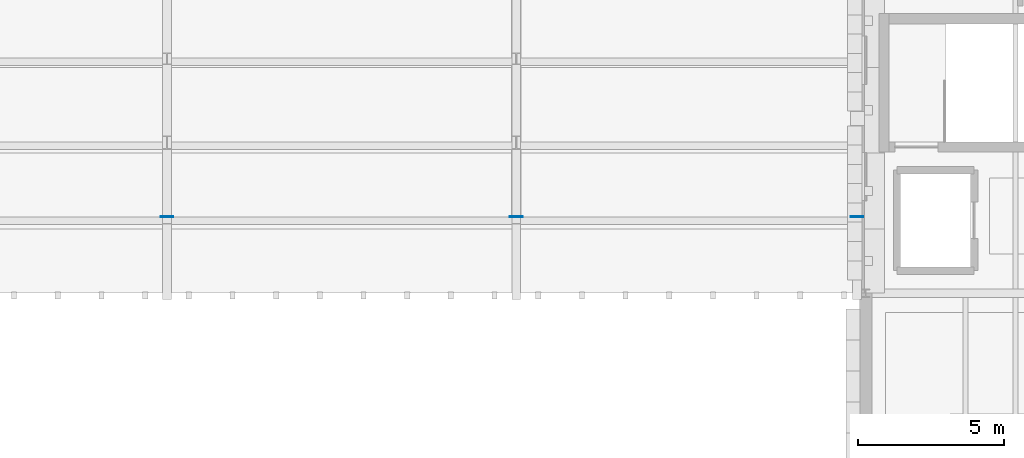
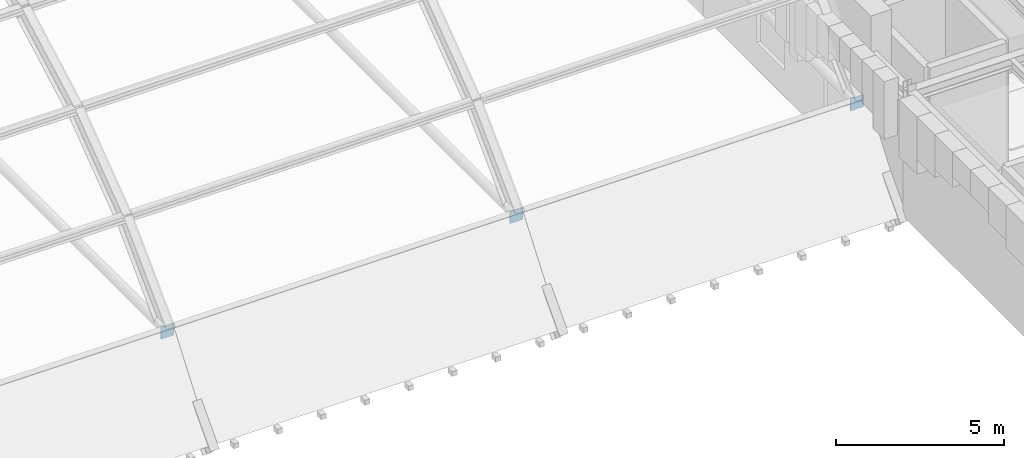
# One storey, part 12 of 35: 3 plates.
"""IFC4 building model written with IfcOpenShell, lengths in metres."""

import ifcopenshell
import ifcopenshell.guid

model = None  # the IFC model being written
_history = None  # IfcOwnerHistory: only IFC2X3 demands one
_inside = {}  # id of a spatial element -> (the spatial element, [elements in it])
_under = {}  # id of a project, library or spatial element -> (it, [spatial elements below it])
_declared = {}  # id of a project -> (the project, [libraries it declares])
_typed = {}  # id of a type object -> (the type object, [elements of that type])
_made_of = {}  # id of a material, layer set ... -> (it, [elements and type objects made of it])


def new_model(schema):
    """Start an empty IFC model of exactly this schema.

    Asked for "IFC4X3", IfcOpenShell would pick the latest addendum, in which some entities
    have other attributes; the version numbers below select the first issue.
    IFC2X3 requires an IfcOwnerHistory on every rooted entity: one is made here for all.
    """
    global model, _history
    if schema == "IFC4X3":
        model = ifcopenshell.file(schema_version=(4, 3, 0, 0))
    else:
        model = ifcopenshell.file(schema=schema)
    _inside.clear()
    _under.clear()
    _declared.clear()
    _typed.clear()
    _made_of.clear()
    _history = None
    if model.schema == "IFC2X3":
        org = make("IfcOrganization", Name="unknown")
        user = make(
            "IfcPersonAndOrganization",
            ThePerson=make("IfcPerson", FamilyName="unknown"),
            TheOrganization=org,
        )
        app = make(
            "IfcApplication",
            ApplicationDeveloper=org,
            Version="unknown",
            ApplicationFullName="unknown",
            ApplicationIdentifier="unknown",
        )
        _history = make(
            "IfcOwnerHistory",
            OwningUser=user,
            OwningApplication=app,
            ChangeAction="ADDED",
            CreationDate=0,
        )
    return model


def make(cls, **values):
    """One entity of the class cls with the attributes given. An attribute that is None is left unset."""
    return model.create_entity(
        cls, **{name: value for name, value in values.items() if value is not None}
    )


def rooted(cls, **values):
    """An entity with a GlobalId (a new one), such as an element, a storey or a relation."""
    return make(cls, GlobalId=ifcopenshell.guid.new(), OwnerHistory=_history, **values)


def si_unit(unit_type, name, prefix=None):
    """IfcSIUnit, for example si_unit("LENGTHUNIT", "METRE", prefix="MILLI")."""
    return make("IfcSIUnit", UnitType=unit_type, Prefix=prefix, Name=name)


def assignment(units):
    """IfcUnitAssignment: the units of a project."""
    return None if units is None else make("IfcUnitAssignment", Units=units)


def point(xyz):
    """IfcCartesianPoint."""
    return None if xyz is None else make("IfcCartesianPoint", Coordinates=xyz)


def direction(xyz):
    """IfcDirection."""
    return None if xyz is None else make("IfcDirection", DirectionRatios=xyz)


def frame(location, z_axis=None, x_axis=None):
    """IfcAxis2Placement3D, a coordinate frame: its origin and axes. An axis left out is left unset."""
    return make(
        "IfcAxis2Placement3D",
        Location=point(location),
        Axis=direction(z_axis),
        RefDirection=direction(x_axis),
    )


def frame_2d(location, x_axis=None):
    """IfcAxis2Placement2D, a coordinate frame in the plane: its origin and x axis."""
    return make(
        "IfcAxis2Placement2D", Location=point(location), RefDirection=direction(x_axis)
    )


def origin():
    """The frame at (0, 0, 0) with its axes left unset."""
    return frame((0.0, 0.0, 0.0))


def origin_2d():
    """The frame at (0, 0) in the plane with its x axis left unset."""
    return frame_2d((0.0, 0.0))


def place(relative_to, where):
    """IfcLocalPlacement: puts the frame where relative to a parent placement (None: the world)."""
    return make(
        "IfcLocalPlacement", PlacementRelTo=relative_to, RelativePlacement=where
    )


def context(
    kind, dimensions, precision=None, world=None, true_north=None, identifier=None
):
    """IfcGeometricRepresentationContext, for example the 3D "Model" context."""
    return make(
        "IfcGeometricRepresentationContext",
        ContextIdentifier=identifier,
        ContextType=kind,
        CoordinateSpaceDimension=dimensions,
        Precision=precision,
        WorldCoordinateSystem=world,
        TrueNorth=true_north,
    )


def subcontext(parent, identifier, kind, view, scale=None):
    """IfcGeometricRepresentationSubContext, for example "Body" below "Model"."""
    return make(
        "IfcGeometricRepresentationSubContext",
        ContextIdentifier=identifier,
        ContextType=kind,
        ParentContext=parent,
        TargetScale=scale,
        TargetView=view,
    )


def project(units=None, contexts=None):
    """IfcProject with its units and contexts."""
    return rooted(
        "IfcProject",
        Name="project",
        RepresentationContexts=contexts,
        UnitsInContext=assignment(units),
    )


def spatial(cls, under=None, at=None, **own):
    """A site, building, storey or space (cls), placed at a placement, below another one or the project."""
    s = rooted(cls, ObjectPlacement=at, **own)
    if under is not None:
        _under.setdefault(under.id(), (under, []))[1].append(s)
    return s


def profile(cls, at=None, kind="AREA", **sizes):
    """A parametric profile (cls). Its sizes go by their IFC names, for example OverallWidth=200.0."""
    return make(cls, ProfileType=kind, Position=at, **sizes)


def rectangle(**sizes):
    """IfcRectangleProfileDef."""
    return profile("IfcRectangleProfileDef", **sizes)


def extrude(swept, where, along, depth):
    """IfcExtrudedAreaSolid: the profile swept, set in the frame where, extruded along a direction by depth."""
    return make(
        "IfcExtrudedAreaSolid",
        SweptArea=swept,
        Position=where,
        ExtrudedDirection=direction(along),
        Depth=depth,
    )


def shape(context_of_items, identifier, shape_type, items):
    """IfcShapeRepresentation: the items that make up one representation, for example the "Body"."""
    return make(
        "IfcShapeRepresentation",
        ContextOfItems=context_of_items,
        RepresentationIdentifier=identifier,
        RepresentationType=shape_type,
        Items=items,
    )


def material(Name=None, Category=None):
    """IfcMaterial."""
    return make("IfcMaterial", Name=Name, Category=Category)


def layer(
    of_material, thickness, ventilated=None, Name=None, Category=None, Priority=None
):
    """IfcMaterialLayer: one layer of a wall or slab, of a material (None: an air gap)."""
    return make(
        "IfcMaterialLayer",
        Material=of_material,
        LayerThickness=thickness,
        IsVentilated=ventilated,
        Name=Name,
        Category=Category,
        Priority=Priority,
    )


def layer_set(layers, Name=None):
    """IfcMaterialLayerSet."""
    return make("IfcMaterialLayerSet", MaterialLayers=layers, LayerSetName=Name)


def made_of(thing, what):
    """Note that an element or type object is made of a material, layer set ...; save() writes the relation."""
    if what is not None:
        _made_of.setdefault(what.id(), (what, []))[1].append(thing)
    return thing


def type_object(cls, material=None, **own):
    """A type object (cls), such as IfcWallType, which elements share."""
    return made_of(rooted(cls, **own), material)


def element(
    cls,
    number,
    at=None,
    inside=None,
    cuts=None,
    type_object=None,
    material=None,
    context=None,
    identifier="Body",
    shape_type=None,
    held_by="IfcProductDefinitionShape",
    body=None,
    shapes=None,
    **own,
):
    """One element of the class cls, such as IfcWall. Its Tag is "e" and its number.

    at: its placement. inside: the storey or other place that contains it. cuts: it is an
    opening in that element (IfcRelVoidsElement). A single representation is given by context,
    identifier, shape_type and body (its items); several are given by shapes. held_by: the class
    of the entity that holds the representations. save() writes the other relations.
    """
    e = rooted(cls, Tag="e%d" % number, ObjectPlacement=at, **own)
    if body is not None:
        shapes = [shape(context, identifier, shape_type, body)]
    if shapes is not None:
        e.Representation = make(held_by, Representations=shapes)
    if inside is not None:
        _inside.setdefault(inside.id(), (inside, []))[1].append(e)
    if cuts is not None:
        rooted(
            "IfcRelVoidsElement", RelatingBuildingElement=cuts, RelatedOpeningElement=e
        )
    if type_object is not None:
        _typed.setdefault(type_object.id(), (type_object, []))[1].append(e)
    return made_of(e, material)


def aggregate(whole, parts):
    """IfcRelAggregates: a whole, such as a stair, and the parts it consists of."""
    return rooted("IfcRelAggregates", RelatingObject=whole, RelatedObjects=parts)


def save(model, path):
    """Write the relations noted so far, then the file.

    IfcRelAggregates (storeys below a building ...), IfcRelContainedInSpatialStructure (elements
    in a storey), IfcRelDefinesByType, IfcRelAssociatesMaterial and IfcRelDeclares: one each for
    every whole, place, type object, material and project.
    """
    for whole, parts in _under.values():
        aggregate(whole, parts)
    for where, things in _inside.values():
        rooted(
            "IfcRelContainedInSpatialStructure",
            RelatedElements=things,
            RelatingStructure=where,
        )
    for kind, things in _typed.values():
        rooted("IfcRelDefinesByType", RelatedObjects=things, RelatingType=kind)
    for what, things in _made_of.values():
        rooted("IfcRelAssociatesMaterial", RelatedObjects=things, RelatingMaterial=what)
    for by, libraries in _declared.values():
        rooted("IfcRelDeclares", RelatingContext=by, RelatedDefinitions=libraries)
    model.write(path)


model = new_model("IFC4")

# Units and contexts
model_context = context("Model", 3, precision=1e-05, world=origin(), true_north=direction((0.0, 1.0)))
body_context = subcontext(model_context, "Body", "Model", "MODEL_VIEW")
ifc_project = project(units=[si_unit("LENGTHUNIT", "METRE"), si_unit("AREAUNIT", "SQUARE_METRE"), si_unit("VOLUMEUNIT", "CUBIC_METRE"), si_unit("PLANEANGLEUNIT", "RADIAN"), si_unit("MASSUNIT", "GRAM", prefix="KILO")], contexts=[model_context])

# Site, building, storey
site_placement = place(None, origin())
site = spatial("IfcSite", under=ifc_project, at=site_placement, CompositionType="ELEMENT")
building_placement = place(site_placement, origin())
building = spatial("IfcBuilding", under=site, at=building_placement, Name="Zlatogorsky Bluff Art Gallery", CompositionType="ELEMENT")
storey_placement = place(building_placement, frame((0.0, 0.0, 23.39990234375)))
storey = spatial("IfcBuildingStorey", under=building, at=storey_placement, Name="L04", CompositionType="ELEMENT", Elevation=23.39990234375)

# Plates
ifc_material = material(Name="Steel S355", Category="steel")
ifc_layer = layer(ifc_material, 0.43994140625)
ifc_layer_set = layer_set([ifc_layer], Name="Node Plate CP-03")
plate_type = type_object("IfcPlateType", Name="Node Plate CP-03", PredefinedType="USERDEFINED", material=ifc_layer_set)
for number, where, z_axis, x_axis, name in (
    (1, (96.0, 86.623779296875, 2.357177734375), (0.0, 0.0, 1.0), (1.0, 0.0, 0.0), "Vault tie south cap plate J"),
    (2, (108.0, 86.623779296875, 2.357177734375), (0.0, 0.0, 1.0), (1.0, 0.0, 0.0), "Vault tie south cap plate K"),
    (3, (119.699951171875, 86.623779296875, 2.357177734375), (0.0, 0.0, 1.0), (1.0, 0.0, 0.0), "Vault tie south cap plate L"),
):
    element("IfcPlate", number, at=place(storey_placement, frame(where, z_axis=z_axis, x_axis=x_axis)), inside=storey, type_object=plate_type, Name=name, ObjectType="CAP PLATE", PredefinedType="USERDEFINED", context=body_context, shape_type="SweptSolid", body=[
        extrude(rectangle(XDim=0.43994140625, YDim=0.02587890625, at=origin_2d()), origin(), (0.0, 0.0, 1.0), 0.43994140625),
    ])

save(model, "model.ifc")
